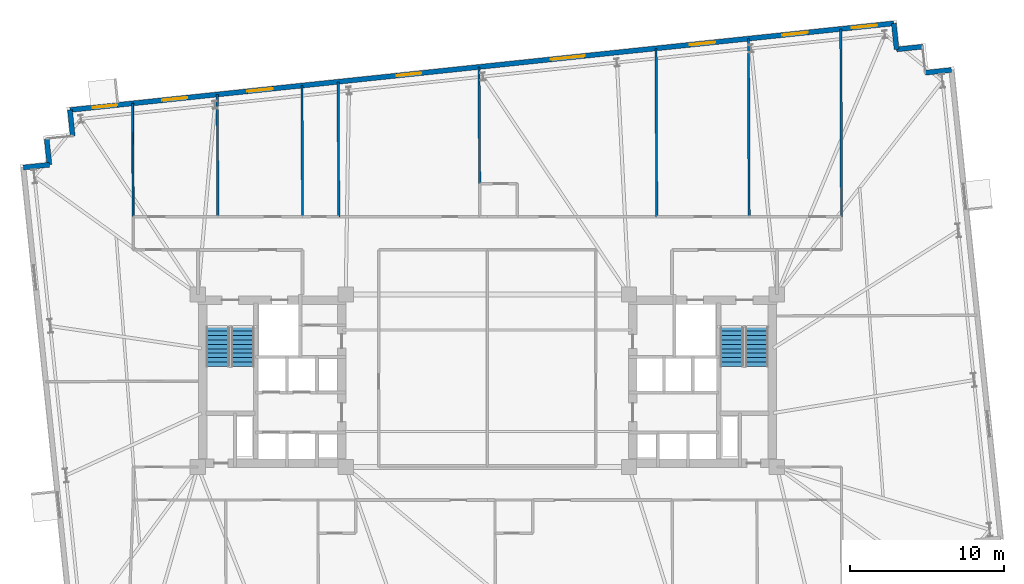
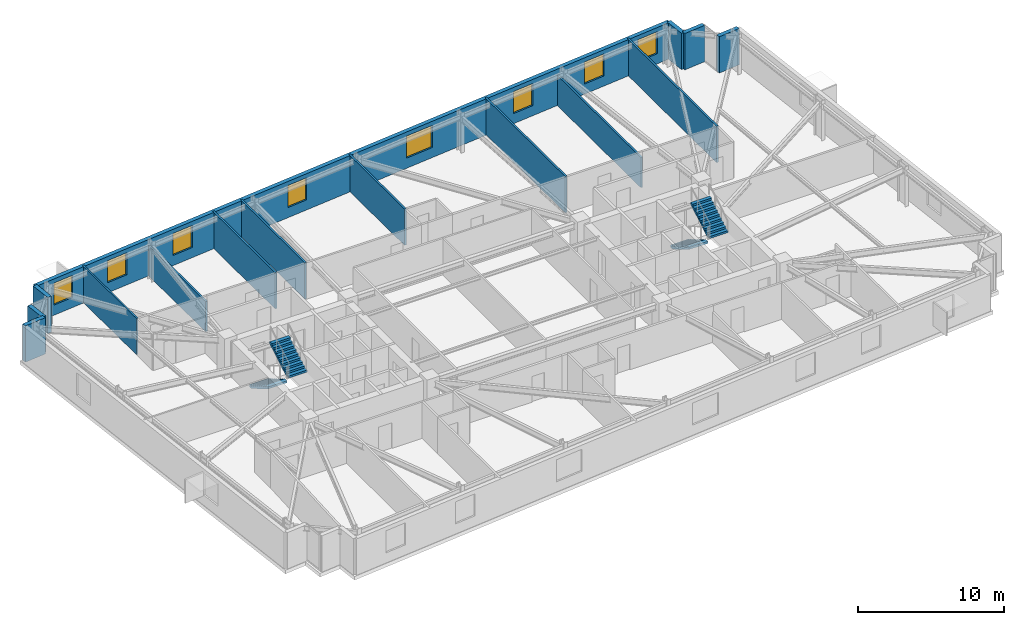
# One storey, part 15 of 17: 15 walls, 8 windows, 4 stair flights, 8 openings, 2 elements without a shape of their own.
"""IFC4 building model written with IfcOpenShell, lengths in metres."""

import ifcopenshell
import ifcopenshell.guid

model = None  # the IFC model being written
_history = None  # IfcOwnerHistory: only IFC2X3 demands one
_inside = {}  # id of a spatial element -> (the spatial element, [elements in it])
_under = {}  # id of a project, library or spatial element -> (it, [spatial elements below it])
_declared = {}  # id of a project -> (the project, [libraries it declares])
_typed = {}  # id of a type object -> (the type object, [elements of that type])
_made_of = {}  # id of a material, layer set ... -> (it, [elements and type objects made of it])


def new_model(schema):
    """Start an empty IFC model of exactly this schema.

    Asked for "IFC4X3", IfcOpenShell would pick the latest addendum, in which some entities
    have other attributes; the version numbers below select the first issue.
    IFC2X3 requires an IfcOwnerHistory on every rooted entity: one is made here for all.
    """
    global model, _history
    if schema == "IFC4X3":
        model = ifcopenshell.file(schema_version=(4, 3, 0, 0))
    else:
        model = ifcopenshell.file(schema=schema)
    _inside.clear()
    _under.clear()
    _declared.clear()
    _typed.clear()
    _made_of.clear()
    _history = None
    if model.schema == "IFC2X3":
        org = make("IfcOrganization", Name="unknown")
        user = make(
            "IfcPersonAndOrganization",
            ThePerson=make("IfcPerson", FamilyName="unknown"),
            TheOrganization=org,
        )
        app = make(
            "IfcApplication",
            ApplicationDeveloper=org,
            Version="unknown",
            ApplicationFullName="unknown",
            ApplicationIdentifier="unknown",
        )
        _history = make(
            "IfcOwnerHistory",
            OwningUser=user,
            OwningApplication=app,
            ChangeAction="ADDED",
            CreationDate=0,
        )
    return model


def make(cls, **values):
    """One entity of the class cls with the attributes given. An attribute that is None is left unset."""
    return model.create_entity(
        cls, **{name: value for name, value in values.items() if value is not None}
    )


def rooted(cls, **values):
    """An entity with a GlobalId (a new one), such as an element, a storey or a relation."""
    return make(cls, GlobalId=ifcopenshell.guid.new(), OwnerHistory=_history, **values)


def si_unit(unit_type, name, prefix=None):
    """IfcSIUnit, for example si_unit("LENGTHUNIT", "METRE", prefix="MILLI")."""
    return make("IfcSIUnit", UnitType=unit_type, Prefix=prefix, Name=name)


def assignment(units):
    """IfcUnitAssignment: the units of a project."""
    return None if units is None else make("IfcUnitAssignment", Units=units)


def point(xyz):
    """IfcCartesianPoint."""
    return None if xyz is None else make("IfcCartesianPoint", Coordinates=xyz)


def direction(xyz):
    """IfcDirection."""
    return None if xyz is None else make("IfcDirection", DirectionRatios=xyz)


def frame(location, z_axis=None, x_axis=None):
    """IfcAxis2Placement3D, a coordinate frame: its origin and axes. An axis left out is left unset."""
    return make(
        "IfcAxis2Placement3D",
        Location=point(location),
        Axis=direction(z_axis),
        RefDirection=direction(x_axis),
    )


def frame_2d(location, x_axis=None):
    """IfcAxis2Placement2D, a coordinate frame in the plane: its origin and x axis."""
    return make(
        "IfcAxis2Placement2D", Location=point(location), RefDirection=direction(x_axis)
    )


def origin():
    """The frame at (0, 0, 0) with its axes left unset."""
    return frame((0.0, 0.0, 0.0))


def place(relative_to, where):
    """IfcLocalPlacement: puts the frame where relative to a parent placement (None: the world)."""
    return make(
        "IfcLocalPlacement", PlacementRelTo=relative_to, RelativePlacement=where
    )


def context(
    kind, dimensions, precision=None, world=None, true_north=None, identifier=None
):
    """IfcGeometricRepresentationContext, for example the 3D "Model" context."""
    return make(
        "IfcGeometricRepresentationContext",
        ContextIdentifier=identifier,
        ContextType=kind,
        CoordinateSpaceDimension=dimensions,
        Precision=precision,
        WorldCoordinateSystem=world,
        TrueNorth=true_north,
    )


def subcontext(parent, identifier, kind, view, scale=None):
    """IfcGeometricRepresentationSubContext, for example "Body" below "Model"."""
    return make(
        "IfcGeometricRepresentationSubContext",
        ContextIdentifier=identifier,
        ContextType=kind,
        ParentContext=parent,
        TargetScale=scale,
        TargetView=view,
    )


def project(units=None, contexts=None):
    """IfcProject with its units and contexts."""
    return rooted(
        "IfcProject",
        Name="project",
        RepresentationContexts=contexts,
        UnitsInContext=assignment(units),
    )


def spatial(cls, under=None, at=None, **own):
    """A site, building, storey or space (cls), placed at a placement, below another one or the project."""
    s = rooted(cls, ObjectPlacement=at, **own)
    if under is not None:
        _under.setdefault(under.id(), (under, []))[1].append(s)
    return s


def polyline(points):
    """IfcPolyline through the points."""
    return make("IfcPolyline", Points=[point(p) for p in points])


def profile(cls, at=None, kind="AREA", **sizes):
    """A parametric profile (cls). Its sizes go by their IFC names, for example OverallWidth=200.0."""
    return make(cls, ProfileType=kind, Position=at, **sizes)


def rectangle(**sizes):
    """IfcRectangleProfileDef."""
    return profile("IfcRectangleProfileDef", **sizes)


def outline(outer, holes=None, kind="AREA"):
    """IfcArbitraryClosedProfileDef: a profile drawn as a closed curve; with holes, ...WithVoids."""
    if holes is None:
        return make("IfcArbitraryClosedProfileDef", ProfileType=kind, OuterCurve=outer)
    return make(
        "IfcArbitraryProfileDefWithVoids",
        ProfileType=kind,
        OuterCurve=outer,
        InnerCurves=holes,
    )


def extrude(swept, where, along, depth):
    """IfcExtrudedAreaSolid: the profile swept, set in the frame where, extruded along a direction by depth."""
    return make(
        "IfcExtrudedAreaSolid",
        SweptArea=swept,
        Position=where,
        ExtrudedDirection=direction(along),
        Depth=depth,
    )


def shape(context_of_items, identifier, shape_type, items):
    """IfcShapeRepresentation: the items that make up one representation, for example the "Body"."""
    return make(
        "IfcShapeRepresentation",
        ContextOfItems=context_of_items,
        RepresentationIdentifier=identifier,
        RepresentationType=shape_type,
        Items=items,
    )


def material(Name=None, Category=None):
    """IfcMaterial."""
    return make("IfcMaterial", Name=Name, Category=Category)


def layer(
    of_material, thickness, ventilated=None, Name=None, Category=None, Priority=None
):
    """IfcMaterialLayer: one layer of a wall or slab, of a material (None: an air gap)."""
    return make(
        "IfcMaterialLayer",
        Material=of_material,
        LayerThickness=thickness,
        IsVentilated=ventilated,
        Name=Name,
        Category=Category,
        Priority=Priority,
    )


def layer_set(layers, Name=None):
    """IfcMaterialLayerSet."""
    return make("IfcMaterialLayerSet", MaterialLayers=layers, LayerSetName=Name)


def made_of(thing, what):
    """Note that an element or type object is made of a material, layer set ...; save() writes the relation."""
    if what is not None:
        _made_of.setdefault(what.id(), (what, []))[1].append(thing)
    return thing


def type_object(cls, material=None, **own):
    """A type object (cls), such as IfcWallType, which elements share."""
    return made_of(rooted(cls, **own), material)


def element(
    cls,
    number,
    at=None,
    inside=None,
    cuts=None,
    type_object=None,
    material=None,
    context=None,
    identifier="Body",
    shape_type=None,
    held_by="IfcProductDefinitionShape",
    body=None,
    shapes=None,
    **own,
):
    """One element of the class cls, such as IfcWall. Its Tag is "e" and its number.

    at: its placement. inside: the storey or other place that contains it. cuts: it is an
    opening in that element (IfcRelVoidsElement). A single representation is given by context,
    identifier, shape_type and body (its items); several are given by shapes. held_by: the class
    of the entity that holds the representations. save() writes the other relations.
    """
    e = rooted(cls, Tag="e%d" % number, ObjectPlacement=at, **own)
    if body is not None:
        shapes = [shape(context, identifier, shape_type, body)]
    if shapes is not None:
        e.Representation = make(held_by, Representations=shapes)
    if inside is not None:
        _inside.setdefault(inside.id(), (inside, []))[1].append(e)
    if cuts is not None:
        rooted(
            "IfcRelVoidsElement", RelatingBuildingElement=cuts, RelatedOpeningElement=e
        )
    if type_object is not None:
        _typed.setdefault(type_object.id(), (type_object, []))[1].append(e)
    return made_of(e, material)


def fill(opening, filler):
    """IfcRelFillsElement: the door or window that sits in an opening."""
    return rooted(
        "IfcRelFillsElement",
        RelatingOpeningElement=opening,
        RelatedBuildingElement=filler,
    )


def aggregate(whole, parts):
    """IfcRelAggregates: a whole, such as a stair, and the parts it consists of."""
    return rooted("IfcRelAggregates", RelatingObject=whole, RelatedObjects=parts)


def save(model, path):
    """Write the relations noted so far, then the file.

    IfcRelAggregates (storeys below a building ...), IfcRelContainedInSpatialStructure (elements
    in a storey), IfcRelDefinesByType, IfcRelAssociatesMaterial and IfcRelDeclares: one each for
    every whole, place, type object, material and project.
    """
    for whole, parts in _under.values():
        aggregate(whole, parts)
    for where, things in _inside.values():
        rooted(
            "IfcRelContainedInSpatialStructure",
            RelatedElements=things,
            RelatingStructure=where,
        )
    for kind, things in _typed.values():
        rooted("IfcRelDefinesByType", RelatedObjects=things, RelatingType=kind)
    for what, things in _made_of.values():
        rooted("IfcRelAssociatesMaterial", RelatedObjects=things, RelatingMaterial=what)
    for by, libraries in _declared.values():
        rooted("IfcRelDeclares", RelatingContext=by, RelatedDefinitions=libraries)
    model.write(path)


model = new_model("IFC4")

# Units and contexts
model_context = context("Model", 3, precision=1e-05, world=origin(), true_north=direction((0.0, 1.0)))
body_context = subcontext(model_context, "Body", "Model", "MODEL_VIEW")
ifc_project = project(units=[si_unit("LENGTHUNIT", "METRE"), si_unit("AREAUNIT", "SQUARE_METRE"), si_unit("VOLUMEUNIT", "CUBIC_METRE"), si_unit("PLANEANGLEUNIT", "RADIAN"), si_unit("MASSUNIT", "GRAM", prefix="KILO")], contexts=[model_context])

# Site, building, storey
site_placement = place(None, origin())
site = spatial("IfcSite", under=ifc_project, at=site_placement, CompositionType="ELEMENT")
building_placement = place(site_placement, origin())
building = spatial("IfcBuilding", under=site, at=building_placement, Name="Qobustan Lattice House", CompositionType="ELEMENT")
storey_placement = place(building_placement, frame((0.0, 0.0, 105.800048828125)))
storey = spatial("IfcBuildingStorey", under=building, at=storey_placement, Name="L29", CompositionType="ELEMENT", Elevation=105.800048828125)

# Walls
ifc_material_1 = material(Name="Precast concrete C40/50", Category="concrete")
ifc_layer_1 = layer(ifc_material_1, 0.320068359375)
ifc_layer_set_1 = layer_set([ifc_layer_1], Name="Precast concrete C40/50")
wall_type_1 = type_object("IfcWallType", Name="WAL-EXT-STONE-320", PredefinedType="SOLIDWALL", material=ifc_layer_set_1)
for number, where, z_axis, x_axis, name in (
    (1, (-30.13330078125, 13.84912109375, 0.0), (0.0, 0.0, 1.0), (0.994534530939, 0.104408173862, 0.0), "L29 exterior limestone-clad wall 6"),
    (2, (-28.442626953125, 14.026611328125, 0.0), (0.0, 0.0, 1.0), (-0.104550220202, 0.994519608382, 0.0), "L29 exterior limestone-clad wall 7"),
    (3, (-26.9296875, 15.89501953125, 0.0), (0.0, 0.0, 1.0), (-0.104550220202, 0.994519608382, 0.0), "L29 exterior limestone-clad wall 9"),
):
    element("IfcWall", number, at=place(storey_placement, frame(where, z_axis=z_axis, x_axis=x_axis)), inside=storey, type_object=wall_type_1, Name=name, PredefinedType="SOLIDWALL", context=body_context, shape_type="SweptSolid", body=[
        extrude(rectangle(XDim=1.699951171875, YDim=0.320068359375, at=frame_2d((0.85009765625, 0.0))), origin(), (0.0, 0.0, 1.0), 3.044921875),
    ])

# Wall, openings, windows
wall_1_placement = place(storey_placement, frame((-27.107421875, 17.585693359375, 0.0), z_axis=(0.0, 0.0, 1.0), x_axis=(0.994521628355, 0.104531003701, 0.0)))
wall_1 = element("IfcWall", 4, at=wall_1_placement, inside=storey, type_object=wall_type_1, Name="L29 exterior limestone-clad wall 10", PredefinedType="SOLIDWALL", context=body_context, shape_type="SweptSolid", body=[
    extrude(rectangle(XDim=53.800048828125, YDim=0.320068359375, at=frame_2d((26.89990234375, 0.0))), origin(), (0.0, 0.0, 1.0), 3.044921875),
])
opening_1_placement = place(wall_1_placement, frame((1.481689453125, 0.0, 0.85009765625)))
opening_1 = element("IfcOpeningElement", 5, at=opening_1_placement, cuts=wall_1, Name="Opening WN-13", PredefinedType="OPENING", context=body_context, shape_type="SweptSolid", body=[
    extrude(rectangle(XDim=1.60009765625, YDim=1.85009765625, at=frame_2d((0.800048828125, 0.925048828125))), frame((0.0, 0.169921875, 0.0), z_axis=(0.0, -1.0, 0.0), x_axis=(1.0, 0.0, 0.0)), (0.0, 0.0, 1.0), 0.340087890625),
])
opening_2_placement = place(wall_1_placement, frame((6.02001953125, 0.0, 0.85009765625)))
opening_2 = element("IfcOpeningElement", 6, at=opening_2_placement, cuts=wall_1, Name="Opening WN-09", PredefinedType="OPENING", context=body_context, shape_type="SweptSolid", body=[
    extrude(rectangle(XDim=1.64990234375, YDim=1.85009765625, at=frame_2d((0.824951171875, 0.925048828125))), frame((0.0, 0.169921875, 0.0), z_axis=(0.0, -1.0, 0.0), x_axis=(1.0, 0.0, 0.0)), (0.0, 0.0, 1.0), 0.340087890625),
])
opening_3_placement = place(wall_1_placement, frame((11.584228515625, 0.0, 0.85009765625)))
opening_3 = element("IfcOpeningElement", 7, at=opening_3_placement, cuts=wall_1, Name="Opening WN-09", PredefinedType="OPENING", context=body_context, shape_type="SweptSolid", body=[
    extrude(rectangle(XDim=1.64990234375, YDim=1.85009765625, at=frame_2d((0.824951171875, 0.925048828125))), frame((0.0, 0.169921875, 0.0), z_axis=(0.0, -1.0, 0.0), x_axis=(1.0, 0.0, 0.0)), (0.0, 0.0, 1.0), 0.340087890625),
])
opening_4_placement = place(wall_1_placement, frame((21.33642578125, 0.0, 0.85009765625)))
opening_4 = element("IfcOpeningElement", 8, at=opening_4_placement, cuts=wall_1, Name="Opening WN-13", PredefinedType="OPENING", context=body_context, shape_type="SweptSolid", body=[
    extrude(rectangle(XDim=1.60009765625, YDim=1.85009765625, at=frame_2d((0.800048828125, 0.925048828125))), frame((0.0, 0.169921875, 0.0), z_axis=(0.0, -1.0, 0.0), x_axis=(1.0, 0.0, 0.0)), (0.0, 0.0, 1.0), 0.340087890625),
])
opening_5_placement = place(wall_1_placement, frame((31.404296875, 0.0, 0.85009765625)))
opening_5 = element("IfcOpeningElement", 9, at=opening_5_placement, cuts=wall_1, Name="Opening WN-03", PredefinedType="OPENING", context=body_context, shape_type="SweptSolid", body=[
    extrude(rectangle(XDim=2.199951171875, YDim=1.85009765625, at=frame_2d((1.10009765625, 0.925048828125))), frame((0.0, 0.169921875, 0.0), z_axis=(0.0, -1.0, 0.0), x_axis=(1.0, 0.0, 0.0)), (0.0, 0.0, 1.0), 0.340087890625),
])
opening_6_placement = place(wall_1_placement, frame((40.485595703125, 0.0, 0.85009765625)))
opening_6 = element("IfcOpeningElement", 10, at=opening_6_placement, cuts=wall_1, Name="Opening WN-09", PredefinedType="OPENING", context=body_context, shape_type="SweptSolid", body=[
    extrude(rectangle(XDim=1.64990234375, YDim=1.85009765625, at=frame_2d((0.824951171875, 0.925048828125))), frame((0.0, 0.169921875, 0.0), z_axis=(0.0, -1.0, 0.0), x_axis=(1.0, 0.0, 0.0)), (0.0, 0.0, 1.0), 0.340087890625),
])
opening_7_placement = place(wall_1_placement, frame((46.5302734375, 0.0, 0.85009765625)))
opening_7 = element("IfcOpeningElement", 11, at=opening_7_placement, cuts=wall_1, Name="Opening WN-09", PredefinedType="OPENING", context=body_context, shape_type="SweptSolid", body=[
    extrude(rectangle(XDim=1.64990234375, YDim=1.85009765625, at=frame_2d((0.824951171875, 0.925048828125))), frame((0.0, 0.169921875, 0.0), z_axis=(0.0, -1.0, 0.0), x_axis=(1.0, 0.0, 0.0)), (0.0, 0.0, 1.0), 0.340087890625),
])
opening_8_placement = place(wall_1_placement, frame((51.0537109375, 0.0, 0.85009765625)))
opening_8 = element("IfcOpeningElement", 12, at=opening_8_placement, cuts=wall_1, Name="Opening WN-09", PredefinedType="OPENING", context=body_context, shape_type="SweptSolid", body=[
    extrude(rectangle(XDim=1.64990234375, YDim=1.85009765625, at=frame_2d((0.824951171875, 0.925048828125))), frame((0.0, 0.169921875, 0.0), z_axis=(0.0, -1.0, 0.0), x_axis=(1.0, 0.0, 0.0)), (0.0, 0.0, 1.0), 0.340087890625),
])
ifc_material_2 = material(Name="Double-glazed low-E aluminium window", Category="aluminium")
window_type_1 = type_object("IfcWindowType", Name="WIN-BED-1600x1850", PartitioningType="SINGLE_PANEL", PredefinedType="WINDOW", material=ifc_material_2)
window_1_placement = place(opening_1_placement, origin())
window_1 = element("IfcWindow", 13, at=window_1_placement, inside=storey, type_object=window_type_1, Name="L29 Music and podcast studio window", OverallHeight=1.85009765625, OverallWidth=1.60009765625, PartitioningType="SINGLE_PANEL", PredefinedType="WINDOW", context=body_context, shape_type="SweptSolid", body=[
    extrude(rectangle(XDim=1.60009765625, YDim=1.85009765625, at=frame_2d((0.800048828125, 0.925048828125))), frame((0.0, 0.030029296875, 0.0), z_axis=(0.0, -1.0, 0.0), x_axis=(1.0, 0.0, 0.0)), (0.0, 0.0, 1.0), 0.06005859375),
])
fill(opening_1, window_1)
window_2_placement = place(opening_4_placement, origin())
window_2 = element("IfcWindow", 14, at=window_2_placement, inside=storey, type_object=window_type_1, Name="L29 Laundry utility room window", OverallHeight=1.85009765625, OverallWidth=1.60009765625, PartitioningType="SINGLE_PANEL", PredefinedType="WINDOW", context=body_context, shape_type="SweptSolid", body=[
    extrude(rectangle(XDim=1.60009765625, YDim=1.85009765625, at=frame_2d((0.800048828125, 0.925048828125))), frame((0.0, 0.030029296875, 0.0), z_axis=(0.0, -1.0, 0.0), x_axis=(1.0, 0.0, 0.0)), (0.0, 0.0, 1.0), 0.06005859375),
])
fill(opening_4, window_2)
ifc_material_3 = material(Name="Double-glazed low-E aluminium window", Category="aluminium")
window_type_2 = type_object("IfcWindowType", Name="WIN-STU-1650x1850", PartitioningType="SINGLE_PANEL", PredefinedType="WINDOW", material=ifc_material_3)
window_3_placement = place(opening_2_placement, origin())
window_3 = element("IfcWindow", 15, at=window_3_placement, inside=storey, type_object=window_type_2, Name="L29 Focus study room N1A window", OverallHeight=1.85009765625, OverallWidth=1.64990234375, PartitioningType="SINGLE_PANEL", PredefinedType="WINDOW", context=body_context, shape_type="SweptSolid", body=[
    extrude(rectangle(XDim=1.64990234375, YDim=1.85009765625, at=frame_2d((0.824951171875, 0.925048828125))), frame((0.0, 0.030029296875, 0.0), z_axis=(0.0, -1.0, 0.0), x_axis=(1.0, 0.0, 0.0)), (0.0, 0.0, 1.0), 0.06005859375),
])
fill(opening_2, window_3)
window_4_placement = place(opening_3_placement, origin())
window_4 = element("IfcWindow", 16, at=window_4_placement, inside=storey, type_object=window_type_2, Name="L29 Focus study room N1B window", OverallHeight=1.85009765625, OverallWidth=1.64990234375, PartitioningType="SINGLE_PANEL", PredefinedType="WINDOW", context=body_context, shape_type="SweptSolid", body=[
    extrude(rectangle(XDim=1.64990234375, YDim=1.85009765625, at=frame_2d((0.824951171875, 0.925048828125))), frame((0.0, 0.030029296875, 0.0), z_axis=(0.0, -1.0, 0.0), x_axis=(1.0, 0.0, 0.0)), (0.0, 0.0, 1.0), 0.06005859375),
])
fill(opening_3, window_4)
window_5_placement = place(opening_6_placement, origin())
window_5 = element("IfcWindow", 17, at=window_5_placement, inside=storey, type_object=window_type_2, Name="L29 Focus study room N4A window", OverallHeight=1.85009765625, OverallWidth=1.64990234375, PartitioningType="SINGLE_PANEL", PredefinedType="WINDOW", context=body_context, shape_type="SweptSolid", body=[
    extrude(rectangle(XDim=1.64990234375, YDim=1.85009765625, at=frame_2d((0.824951171875, 0.925048828125))), frame((0.0, 0.030029296875, 0.0), z_axis=(0.0, -1.0, 0.0), x_axis=(1.0, 0.0, 0.0)), (0.0, 0.0, 1.0), 0.06005859375),
])
fill(opening_6, window_5)
window_6_placement = place(opening_7_placement, origin())
window_6 = element("IfcWindow", 18, at=window_6_placement, inside=storey, type_object=window_type_2, Name="L29 Focus study room N4B window", OverallHeight=1.85009765625, OverallWidth=1.64990234375, PartitioningType="SINGLE_PANEL", PredefinedType="WINDOW", context=body_context, shape_type="SweptSolid", body=[
    extrude(rectangle(XDim=1.64990234375, YDim=1.85009765625, at=frame_2d((0.824951171875, 0.925048828125))), frame((0.0, 0.030029296875, 0.0), z_axis=(0.0, -1.0, 0.0), x_axis=(1.0, 0.0, 0.0)), (0.0, 0.0, 1.0), 0.06005859375),
])
fill(opening_7, window_6)
window_7_placement = place(opening_8_placement, origin())
window_7 = element("IfcWindow", 19, at=window_7_placement, inside=storey, type_object=window_type_2, Name="L29 Collaborative tutorial room window", OverallHeight=1.85009765625, OverallWidth=1.64990234375, PartitioningType="SINGLE_PANEL", PredefinedType="WINDOW", context=body_context, shape_type="SweptSolid", body=[
    extrude(rectangle(XDim=1.64990234375, YDim=1.85009765625, at=frame_2d((0.824951171875, 0.925048828125))), frame((0.0, 0.030029296875, 0.0), z_axis=(0.0, -1.0, 0.0), x_axis=(1.0, 0.0, 0.0)), (0.0, 0.0, 1.0), 0.06005859375),
])
fill(opening_8, window_7)
ifc_material_4 = material(Name="Double-glazed low-E aluminium window", Category="aluminium")
window_type_3 = type_object("IfcWindowType", Name="WIN-WIDE-2200x1850", PartitioningType="SINGLE_PANEL", PredefinedType="WINDOW", material=ifc_material_4)
window_8_placement = place(opening_5_placement, origin())
window_8 = element("IfcWindow", 20, at=window_8_placement, inside=storey, type_object=window_type_3, Name="L29 Kitchenette and studio apartment L29-N3 window", OverallHeight=1.85009765625, OverallWidth=2.199951171875, PartitioningType="SINGLE_PANEL", PredefinedType="WINDOW", context=body_context, shape_type="SweptSolid", body=[
    extrude(rectangle(XDim=2.199951171875, YDim=1.85009765625, at=frame_2d((1.10009765625, 0.925048828125))), frame((0.0, 0.030029296875, 0.0), z_axis=(0.0, -1.0, 0.0), x_axis=(1.0, 0.0, 0.0)), (0.0, 0.0, 1.0), 0.06005859375),
])
fill(opening_5, window_8)

# Walls
for number, where, z_axis, x_axis, name in (
    (21, (26.39794921875, 23.20947265625, 0.0), (0.0, 0.0, 1.0), (0.104550220202, -0.994519608382, 0.0), "L29 exterior limestone-clad wall 11"),
    (22, (26.57568359375, 21.518798828125, 0.0), (0.0, 0.0, 1.0), (0.994534530939, 0.104408173862, 0.0), "L29 exterior limestone-clad wall 12"),
    (23, (28.444091796875, 20.005615234375, 0.0), (0.0, 0.0, 1.0), (0.994519608382, 0.104550220202, 0.0), "L29 exterior limestone-clad wall 14"),
):
    element("IfcWall", number, at=place(storey_placement, frame(where, z_axis=z_axis, x_axis=x_axis)), inside=storey, type_object=wall_type_1, Name=name, PredefinedType="SOLIDWALL", context=body_context, shape_type="SweptSolid", body=[
        extrude(rectangle(XDim=1.699951171875, YDim=0.320068359375, at=frame_2d((0.85009765625, 0.0))), origin(), (0.0, 0.0, 1.0), 3.044921875),
    ])
ifc_material_5 = material(Name="Lightweight acoustic stud partition", Category="gypsum")
ifc_layer_2 = layer(ifc_material_5, 0.125)
ifc_layer_set_2 = layer_set([ifc_layer_2], Name="Lightweight acoustic stud partition")
wall_type_2 = type_object("IfcWallType", Name="WAL-PART-125", PredefinedType="PARTITIONING", material=ifc_layer_set_2)
wall_2_placement = place(storey_placement, frame((-23.0439453125, 18.0126953125, 0.0), z_axis=(0.0, 0.0, 1.0), x_axis=(0.005968459246, -0.999982188588, 0.0)))
element("IfcWall", 24, at=wall_2_placement, inside=storey, type_object=wall_type_2, Name="L29 interior partition 71", PredefinedType="PARTITIONING", context=body_context, shape_type="SweptSolid", body=[
    extrude(rectangle(XDim=7.363037109375, YDim=0.125, at=frame_2d((3.681640625, 0.0))), origin(), (0.0, 0.0, 1.0), 3.044921875),
])
ifc_material_6 = material(Name="Acoustic twin-stud gypsum partition", Category="gypsum")
ifc_layer_3 = layer(ifc_material_6, 0.14990234375)
ifc_layer_set_3 = layer_set([ifc_layer_3], Name="Acoustic twin-stud gypsum partition")
wall_type_3 = type_object("IfcWallType", Name="WAL-PART-150", PredefinedType="PARTITIONING", material=ifc_layer_set_3)
wall_3_placement = place(storey_placement, frame((23.0, 10.64990234375, 0.0), z_axis=(0.0, 0.0, 1.0), x_axis=(-0.0036027147, 0.999993510202, 0.0)))
element("IfcWall", 25, at=wall_3_placement, inside=storey, type_object=wall_type_3, Name="L29 interior partition 74", PredefinedType="PARTITIONING", context=body_context, shape_type="SweptSolid", body=[
    extrude(rectangle(XDim=12.19775390625, YDim=0.14990234375, at=frame_2d((6.098876953125, 0.0))), origin(), (0.0, 0.0, 1.0), 3.044921875),
])
wall_4_placement = place(storey_placement, frame((-17.5439453125, 18.5908203125, 0.0), z_axis=(0.0, 0.0, 1.0), x_axis=(0.005533949572, -0.999984687584, 0.0)))
element("IfcWall", 26, at=wall_4_placement, inside=storey, type_object=wall_type_3, Name="L29 interior partition 75", PredefinedType="PARTITIONING", context=body_context, shape_type="SweptSolid", body=[
    extrude(rectangle(XDim=7.94091796875, YDim=0.14990234375, at=frame_2d((3.970458984375, 0.0))), origin(), (0.0, 0.0, 1.0), 2.530029296875),
])
wall_5_placement = place(storey_placement, frame((-0.5439453125, 20.377685546875, 0.0), z_axis=(0.0, 0.0, 1.0), x_axis=(0.005799245221, -0.999983184236, 0.0)))
element("IfcWall", 27, at=wall_5_placement, inside=storey, type_object=wall_type_3, Name="L29 interior partition 78", PredefinedType="PARTITIONING", context=body_context, shape_type="SweptSolid", body=[
    extrude(rectangle(XDim=7.577880859375, YDim=0.14990234375, at=frame_2d((3.7890625, 0.0))), origin(), (0.0, 0.0, 1.0), 3.044921875),
])
wall_6_placement = place(storey_placement, frame((10.9560546875, 21.58642578125, 0.0), z_axis=(0.0, 0.0, 1.0), x_axis=(0.004018183473, -0.999991927068, 0.0)))
element("IfcWall", 28, at=wall_6_placement, inside=storey, type_object=wall_type_3, Name="L29 interior partition 82", PredefinedType="PARTITIONING", context=body_context, shape_type="SweptSolid", body=[
    extrude(rectangle(XDim=10.9365234375, YDim=0.14990234375, at=frame_2d((5.46826171875, 0.0))), origin(), (0.0, 0.0, 1.0), 3.044921875),
])
wall_7_placement = place(storey_placement, frame((16.9560546875, 22.217041015625, 0.0), z_axis=(0.0, 0.0, 1.0), x_axis=(0.003799124105, -0.999992783302, 0.0)))
element("IfcWall", 29, at=wall_7_placement, inside=storey, type_object=wall_type_3, Name="L29 interior partition 83", PredefinedType="PARTITIONING", context=body_context, shape_type="SweptSolid", body=[
    extrude(rectangle(XDim=11.567138671875, YDim=0.14990234375, at=frame_2d((5.78369140625, 0.0))), origin(), (0.0, 0.0, 1.0), 2.530029296875),
])
ifc_material_7 = material(Name="Moisture-resistant acoustic plumbing wall", Category="gypsum")
ifc_layer_4 = layer(ifc_material_7, 0.14990234375)
ifc_layer_set_4 = layer_set([ifc_layer_4], Name="Moisture-resistant acoustic plumbing wall")
wall_type_4 = type_object("IfcWallType", Name="WAL-WET-150", PredefinedType="PLUMBINGWALL", material=ifc_layer_set_4)
wall_8_placement = place(storey_placement, frame((-12.0439453125, 19.1689453125, 0.0), z_axis=(0.0, 0.0, 1.0), x_axis=(0.005158411336, -0.999986695308, 0.0)))
element("IfcWall", 30, at=wall_8_placement, inside=storey, type_object=wall_type_4, Name="L29 interior partition 76", PredefinedType="PLUMBINGWALL", context=body_context, shape_type="SweptSolid", body=[
    extrude(rectangle(XDim=8.51904296875, YDim=0.14990234375, at=frame_2d((4.259521484375, 0.0))), origin(), (0.0, 0.0, 1.0), 3.044921875),
])
wall_9_placement = place(storey_placement, frame((-9.69384765625, 19.416015625, 0.0), z_axis=(0.0, 0.0, 1.0), x_axis=(0.005013026743, -0.999987434702, 0.0)))
element("IfcWall", 31, at=wall_9_placement, inside=storey, type_object=wall_type_4, Name="L29 interior partition 77", PredefinedType="PLUMBINGWALL", context=body_context, shape_type="SweptSolid", body=[
    extrude(rectangle(XDim=8.76611328125, YDim=0.14990234375, at=frame_2d((4.383056640625, 0.0))), origin(), (0.0, 0.0, 1.0), 3.044921875),
])

# Stair, stair flights
ifc_material_8 = material(Name="Concrete C40/50", Category="concrete")
stair_type = type_object("IfcStairType", Name="STR-CORE-DOGLEG", PredefinedType="HALF_TURN_STAIR", material=ifc_material_8)
stair_1_placement = place(storey_placement, origin())
stair_1 = element("IfcStair", 32, at=stair_1_placement, inside=storey, type_object=stair_type, Name="L29 West protected exit stair ST-W1", PredefinedType="HALF_TURN_STAIR")
ifc_material_9 = material(Name="Concrete C40/50", Category="concrete")
stair_flight_type = type_object("IfcStairFlightType", Name="SFL-RC-1500", PredefinedType="STRAIGHT", material=ifc_material_9)
stair_flight_1_placement = place(storey_placement, frame((-17.5, 3.5, 0.0), z_axis=(0.0, 0.0, 1.0), x_axis=(0.0, -1.0, 0.0)))
stair_flight_1 = element("IfcStairFlight", 33, at=stair_flight_1_placement, type_object=stair_flight_type, Name="ST-W1 flight 1", NumberOfRisers=10, NumberOfTreads=9, PredefinedType="STRAIGHT", RiserHeight=0.1675, TreadLength=0.285, context=body_context, shape_type="SweptSolid", body=[
    extrude(outline(polyline([(0.0, 0.0), (0.0, 0.16748046875), (0.284912109375, 0.16748046875), (0.284912109375, 0.3349609375), (0.570068359375, 0.3349609375), (0.570068359375, 0.50244140625), (0.85498046875, 0.50244140625), (0.85498046875, 0.669921875), (1.139892578125, 0.669921875), (1.139892578125, 0.83740234375), (1.425048828125, 0.83740234375), (1.425048828125, 1.0048828125), (1.7099609375, 1.0048828125), (1.7099609375, 1.172607421875), (1.9951171875, 1.172607421875), (1.9951171875, 1.340087890625), (2.280029296875, 1.340087890625), (2.280029296875, 1.507568359375), (2.56494140625, 1.507568359375), (2.56494140625, 1.675048828125), (2.56494140625, 1.333740234375), (0.2958984375, 0.0), (0.0, 0.0)])), frame((0.0, 0.75, 0.0), z_axis=(0.0, -1.0, 0.0), x_axis=(1.0, 0.0, 0.0)), (0.0, 0.0, 1.0), 1.5),
])
stair_flight_2_placement = place(storey_placement, frame((-15.8798828125, 0.93505859375, 1.675048828125), z_axis=(0.0, 0.0, 1.0), x_axis=(0.0, 1.0, 0.0)))
stair_flight_2 = element("IfcStairFlight", 34, at=stair_flight_2_placement, type_object=stair_flight_type, Name="ST-W1 flight 2", NumberOfRisers=10, NumberOfTreads=9, PredefinedType="STRAIGHT", RiserHeight=0.1675, TreadLength=0.285, context=body_context, shape_type="SweptSolid", body=[
    extrude(outline(polyline([(0.0, 0.0), (0.0, 0.16748046875), (0.284912109375, 0.16748046875), (0.284912109375, 0.3349609375), (0.570068359375, 0.3349609375), (0.570068359375, 0.50244140625), (0.85498046875, 0.50244140625), (0.85498046875, 0.669921875), (1.139892578125, 0.669921875), (1.139892578125, 0.83740234375), (1.425048828125, 0.83740234375), (1.425048828125, 1.0048828125), (1.7099609375, 1.0048828125), (1.7099609375, 1.172607421875), (1.9951171875, 1.172607421875), (1.9951171875, 1.340087890625), (2.280029296875, 1.340087890625), (2.280029296875, 1.507568359375), (2.56494140625, 1.507568359375), (2.56494140625, 1.675048828125), (2.56494140625, 1.333740234375), (0.2958984375, 0.0), (0.0, 0.0)])), frame((0.0, 0.75, 0.0), z_axis=(0.0, -1.0, 0.0), x_axis=(1.0, 0.0, 0.0)), (0.0, 0.0, 1.0), 1.5),
])
aggregate(stair_1, [stair_flight_1, stair_flight_2])

stair_2_placement = place(storey_placement, origin())
stair_2 = element("IfcStair", 35, at=stair_2_placement, inside=storey, type_object=stair_type, Name="L29 East protected exit stair ST-E1", PredefinedType="HALF_TURN_STAIR")
stair_flight_3_placement = place(storey_placement, frame((15.8798828125, 3.5, 0.0), z_axis=(0.0, 0.0, 1.0), x_axis=(0.0, -1.0, 0.0)))
stair_flight_3 = element("IfcStairFlight", 36, at=stair_flight_3_placement, type_object=stair_flight_type, Name="ST-E1 flight 1", NumberOfRisers=10, NumberOfTreads=9, PredefinedType="STRAIGHT", RiserHeight=0.1675, TreadLength=0.285, context=body_context, shape_type="SweptSolid", body=[
    extrude(outline(polyline([(0.0, 0.0), (0.0, 0.16748046875), (0.284912109375, 0.16748046875), (0.284912109375, 0.3349609375), (0.570068359375, 0.3349609375), (0.570068359375, 0.50244140625), (0.85498046875, 0.50244140625), (0.85498046875, 0.669921875), (1.139892578125, 0.669921875), (1.139892578125, 0.83740234375), (1.425048828125, 0.83740234375), (1.425048828125, 1.0048828125), (1.7099609375, 1.0048828125), (1.7099609375, 1.172607421875), (1.9951171875, 1.172607421875), (1.9951171875, 1.340087890625), (2.280029296875, 1.340087890625), (2.280029296875, 1.507568359375), (2.56494140625, 1.507568359375), (2.56494140625, 1.675048828125), (2.56494140625, 1.333740234375), (0.2958984375, 0.0), (0.0, 0.0)])), frame((0.0, 0.75, 0.0), z_axis=(0.0, -1.0, 0.0), x_axis=(1.0, 0.0, 0.0)), (0.0, 0.0, 1.0), 1.5),
])
stair_flight_4_placement = place(storey_placement, frame((17.5, 0.93505859375, 1.675048828125), z_axis=(0.0, 0.0, 1.0), x_axis=(0.0, 1.0, 0.0)))
stair_flight_4 = element("IfcStairFlight", 37, at=stair_flight_4_placement, type_object=stair_flight_type, Name="ST-E1 flight 2", NumberOfRisers=10, NumberOfTreads=9, PredefinedType="STRAIGHT", RiserHeight=0.1675, TreadLength=0.285, context=body_context, shape_type="SweptSolid", body=[
    extrude(outline(polyline([(0.0, 0.0), (0.0, 0.16748046875), (0.284912109375, 0.16748046875), (0.284912109375, 0.3349609375), (0.570068359375, 0.3349609375), (0.570068359375, 0.50244140625), (0.85498046875, 0.50244140625), (0.85498046875, 0.669921875), (1.139892578125, 0.669921875), (1.139892578125, 0.83740234375), (1.425048828125, 0.83740234375), (1.425048828125, 1.0048828125), (1.7099609375, 1.0048828125), (1.7099609375, 1.172607421875), (1.9951171875, 1.172607421875), (1.9951171875, 1.340087890625), (2.280029296875, 1.340087890625), (2.280029296875, 1.507568359375), (2.56494140625, 1.507568359375), (2.56494140625, 1.675048828125), (2.56494140625, 1.333740234375), (0.2958984375, 0.0), (0.0, 0.0)])), frame((0.0, 0.75, 0.0), z_axis=(0.0, -1.0, 0.0), x_axis=(1.0, 0.0, 0.0)), (0.0, 0.0, 1.0), 1.5),
])
aggregate(stair_2, [stair_flight_3, stair_flight_4])

save(model, "model.ifc")
